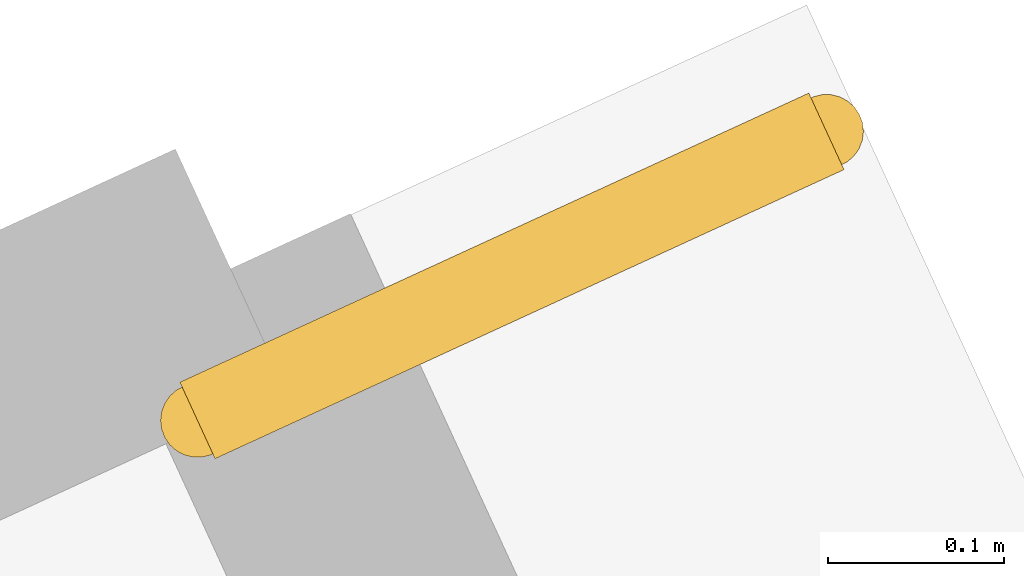
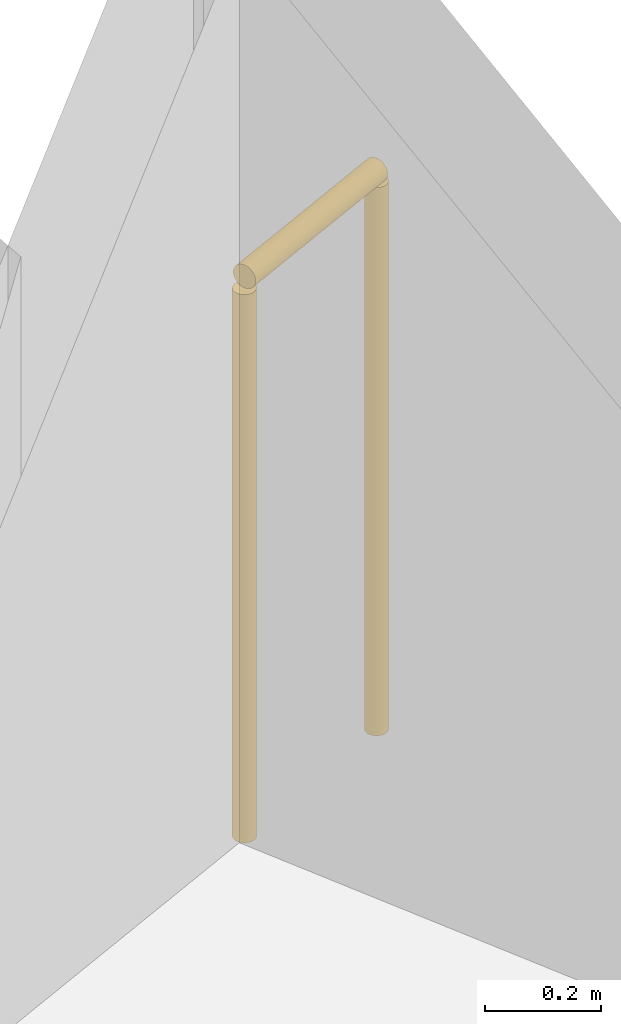
# One storey, part 16 of 16: 1 railing.
"""IFC4 building model written with IfcOpenShell, lengths in metres."""

from ifc_helpers import new_model, si_unit, direction, frame, origin, origin_2d, place, context, subcontext, project, spatial, circle, extrude, material, layer, layer_set, type_object, element, save


model = new_model("IFC4")

# Units and contexts
model_context = context("Model", 3, precision=1e-05, world=origin(), true_north=direction((0.0, 1.0)))
body_context = subcontext(model_context, "Body", "Model", "MODEL_VIEW")
ifc_project = project(units=[si_unit("LENGTHUNIT", "METRE"), si_unit("AREAUNIT", "SQUARE_METRE"), si_unit("VOLUMEUNIT", "CUBIC_METRE"), si_unit("PLANEANGLEUNIT", "RADIAN"), si_unit("MASSUNIT", "GRAM", prefix="KILO")], contexts=[model_context])

# Site, building, storey
site_placement = place(None, origin())
site = spatial("IfcSite", under=ifc_project, at=site_placement, CompositionType="ELEMENT")
building_placement = place(site_placement, origin())
building = spatial("IfcBuilding", under=site, at=building_placement, Name="Gaonmaruhae Medical Tower", CompositionType="ELEMENT")
storey_placement = place(building_placement, frame((0.0, 0.0, 128.39990234375)))
storey = spatial("IfcBuildingStorey", under=building, at=storey_placement, Name="L30", CompositionType="ELEMENT", Elevation=128.39990234375)

# Railing
ifc_material = material(Name="Stainless steel 316L and laminated safety glass", Category="steel")
ifc_layer = layer(ifc_material, 0.080078125)
ifc_layer_set = layer_set([ifc_layer], Name="Stainless steel 316L and laminated safety glass")
railing_type = type_object("IfcRailingType", Name="GD-120 Outdoor Terrace Safety Glass & Steel Balustrade", PredefinedType="BALUSTRADE", material=ifc_layer_set)
railing_placement = place(storey_placement, frame((55.292236328125, 32.168701171875, 0.0)))
element("IfcRailing", 1, at=railing_placement, inside=storey, type_object=railing_type, Name="L30 Perimeter Slab Edge Safety Balustrade 01", PredefinedType="BALUSTRADE", context=body_context, shape_type="SweptSolid", body=[
    extrude(circle(Radius=0.02392578125, at=origin_2d()), frame((0.0, 0.0, 1.17578125), z_axis=(0.908594101162, 0.417680211805, 0.0), x_axis=(-0.417680211805, 0.908594101162, 0.0)), (0.0, 0.0, 1.0), 0.393310546875),
    extrude(circle(Radius=0.02099609375, at=origin_2d()), origin(), (0.0, 0.0, 1.0), 1.15185546875),
    extrude(circle(Radius=0.02099609375, at=origin_2d()), frame((0.357421875, 0.164306640625, 0.0)), (0.0, 0.0, 1.0), 1.15185546875),
])

save(model, "model.ifc")
